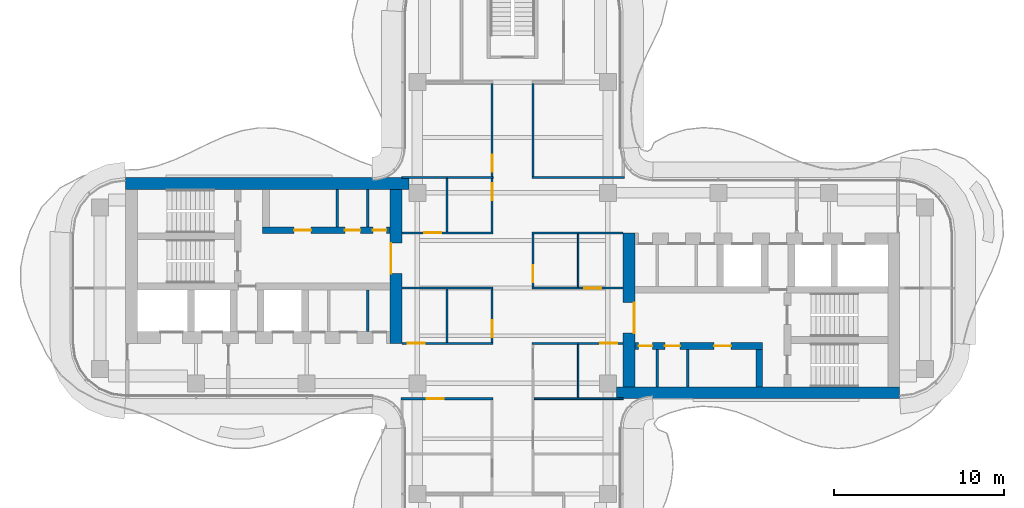
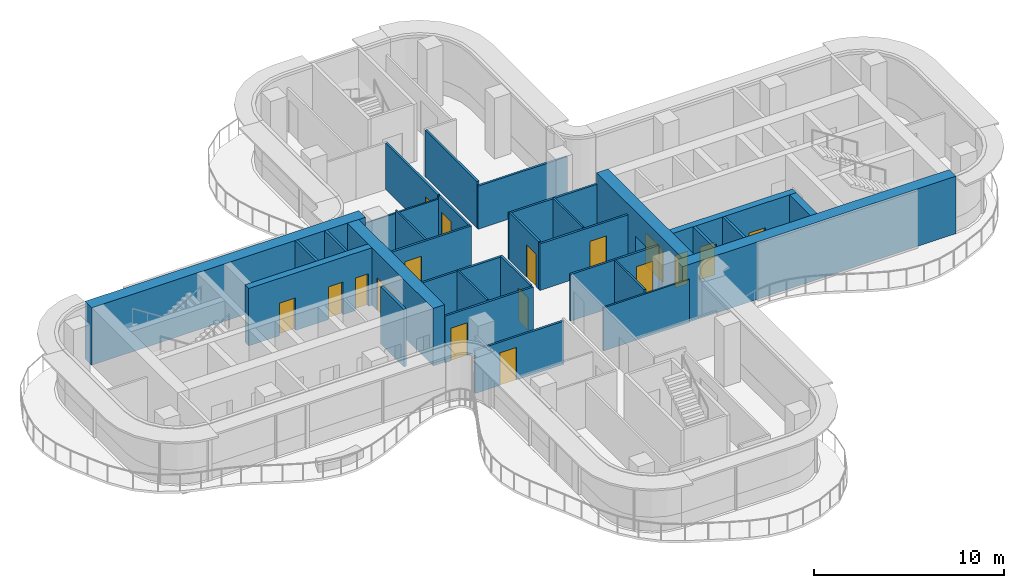
# One storey, part 12 of 16: 31 walls, 17 doors, 17 openings.
"""IFC4 building model written with IfcOpenShell, lengths in metres."""

from ifc_helpers import new_model, si_unit, direction, frame, frame_2d, origin, place, context, subcontext, project, spatial, rectangle, extrude, source, transform, mapped, material, layer, layer_set, type_object, element, fill, save


model = new_model("IFC4")

# Units and contexts
model_context = context("Model", 3, precision=1e-05, world=origin(), true_north=direction((0.0, 1.0)))
body_context = subcontext(model_context, "Body", "Model", "MODEL_VIEW")
ifc_project = project(units=[si_unit("LENGTHUNIT", "METRE"), si_unit("AREAUNIT", "SQUARE_METRE"), si_unit("VOLUMEUNIT", "CUBIC_METRE"), si_unit("PLANEANGLEUNIT", "RADIAN"), si_unit("MASSUNIT", "GRAM", prefix="KILO")], contexts=[model_context])

# Site, building, storey
site_placement = place(None, origin())
site = spatial("IfcSite", under=ifc_project, at=site_placement, CompositionType="ELEMENT")
building_placement = place(site_placement, origin())
building = spatial("IfcBuilding", under=site, at=building_placement, Name="Trellis Farm Tower", CompositionType="ELEMENT")
storey_placement = place(building_placement, frame((0.0, 0.0, 310.60009765625)))
storey = spatial("IfcBuildingStorey", under=building, at=storey_placement, Name="L70", CompositionType="ELEMENT", Elevation=310.60009765625)

# Wall, opening, door
ifc_material_1 = material(Name="Concrete C50/60", Category="concrete")
ifc_layer_1 = layer(ifc_material_1, 0.699951171875)
ifc_layer_set_1 = layer_set([ifc_layer_1], Name="CORE OUTER WALL 700 CONCRETE C50/60")
wall_type_1 = type_object("IfcWallType", Name="CORE OUTER WALL 700 CONCRETE C50/60", PredefinedType="SHEAR", material=ifc_layer_set_1)
shared_shape_1 = source(origin(), body_context, "Body", "SweptSolid", [
    extrude(rectangle(XDim=9.050048828125, YDim=0.699951171875, at=frame_2d((4.52490234375, 0.0))), origin(), (0.0, 0.0, 1.0), 3.699951171875),
])
wall_1_placement = place(storey_placement, frame((6.85009765625, -5.800048828125, 0.0), z_axis=(0.0, 0.0, 1.0), x_axis=(0.0, 1.0, 0.0)))
wall_1 = element("IfcWall", 1, at=wall_1_placement, inside=storey, type_object=wall_type_1, Name="Core wall", PredefinedType="SHEAR", context=body_context, shape_type="MappedRepresentation", body=[
    mapped(shared_shape_1, transform((0.0, 0.0, 0.0))),
])
shared_shape_2 = source(origin(), body_context, "Body", "SweptSolid", [
    extrude(rectangle(XDim=1.800048828125, YDim=2.10009765625, at=frame_2d((0.89990234375, 1.050048828125))), frame((0.0, 0.360107421875, 0.0), z_axis=(0.0, -1.0, 0.0), x_axis=(1.0, 0.0, 0.0)), (0.0, 0.0, 1.0), 0.72021484375),
])
opening_1_placement = place(wall_1_placement, frame((3.14990234375, 0.0, 0.0)))
opening_1 = element("IfcOpeningElement", 2, at=opening_1_placement, cuts=wall_1, Name="Opening DC1", PredefinedType="OPENING", context=body_context, shape_type="MappedRepresentation", body=[
    mapped(shared_shape_2, transform((0.0, 0.0, 0.0))),
])
ifc_material_2 = material(Name="Steel", Category="steel")
door_type_1 = type_object("IfcDoorType", Name="CORE FIRE DOOR DOUBLE 1800 X 2100", OperationType="DOUBLE_DOOR_SINGLE_SWING", PredefinedType="DOOR", material=ifc_material_2)
shared_shape_3 = source(origin(), body_context, "Body", "SweptSolid", [
    extrude(rectangle(XDim=1.800048828125, YDim=2.10009765625, at=frame_2d((0.89990234375, 1.050048828125))), frame((0.0, -0.27490234375, 0.0), z_axis=(0.0, -1.0, 0.0), x_axis=(1.0, 0.0, 0.0)), (0.0, 0.0, 1.0), 0.050048828125),
])
door_1_placement = place(opening_1_placement, origin())
door_1 = element("IfcDoor", 3, at=door_1_placement, inside=storey, type_object=door_type_1, Name="Core door", OperationType="DOUBLE_DOOR_SINGLE_SWING", OverallHeight=2.10009765625, OverallWidth=1.800048828125, PredefinedType="DOOR", context=body_context, shape_type="MappedRepresentation", body=[
    mapped(shared_shape_3, transform((0.0, 0.0, 0.0))),
])
fill(opening_1, door_1)

wall_2_placement = place(storey_placement, frame((-6.85009765625, 5.800048828125, 0.0), z_axis=(0.0, 0.0, 1.0), x_axis=(0.0, -1.0, 0.0)))
wall_2 = element("IfcWall", 4, at=wall_2_placement, inside=storey, type_object=wall_type_1, Name="Core wall", PredefinedType="SHEAR", context=body_context, shape_type="MappedRepresentation", body=[
    mapped(shared_shape_1, transform((0.0, 0.0, 0.0))),
])
opening_2_placement = place(wall_2_placement, frame((3.14990234375, 0.0, 0.0)))
opening_2 = element("IfcOpeningElement", 5, at=opening_2_placement, cuts=wall_2, Name="Opening DC87", PredefinedType="OPENING", context=body_context, shape_type="MappedRepresentation", body=[
    mapped(shared_shape_2, transform((0.0, 0.0, 0.0))),
])
door_2_placement = place(opening_2_placement, origin())
door_2 = element("IfcDoor", 6, at=door_2_placement, inside=storey, type_object=door_type_1, Name="Core door", OperationType="DOUBLE_DOOR_SINGLE_SWING", OverallHeight=2.10009765625, OverallWidth=1.800048828125, PredefinedType="DOOR", context=body_context, shape_type="MappedRepresentation", body=[
    mapped(shared_shape_3, transform((0.0, 0.0, 0.0))),
])
fill(opening_2, door_2)

# Wall, openings, doors
ifc_layer_2 = layer(ifc_material_1, 0.39990234375)
ifc_layer_set_2 = layer_set([ifc_layer_2], Name="CORE INNER WALL 400 CONCRETE C50/60")
wall_type_2 = type_object("IfcWallType", Name="CORE INNER WALL 400 CONCRETE C50/60", PredefinedType="SHEAR", material=ifc_layer_set_2)
shared_shape_4 = source(origin(), body_context, "Body", "SweptSolid", [
    extrude(rectangle(XDim=7.5, YDim=0.39990234375, at=frame_2d((3.75, 0.0))), origin(), (0.0, 0.0, 1.0), 3.699951171875),
])
wall_3_placement = place(storey_placement, frame((7.199951171875, -3.39990234375, 0.0), z_axis=(0.0, 0.0, 1.0), x_axis=(1.0, 0.0, 0.0)))
wall_3 = element("IfcWall", 7, at=wall_3_placement, inside=storey, type_object=wall_type_2, Name="Core wall", PredefinedType="SHEAR", context=body_context, shape_type="MappedRepresentation", body=[
    mapped(shared_shape_4, transform((0.0, 0.0, 0.0))),
])
shared_shape_5 = source(origin(), body_context, "Body", "SweptSolid", [
    extrude(rectangle(XDim=0.800048828125, YDim=2.10009765625, at=frame_2d((0.39990234375, 1.050048828125))), frame((0.0, 0.2099609375, 0.0), z_axis=(0.0, -1.0, 0.0), x_axis=(1.0, 0.0, 0.0)), (0.0, 0.0, 1.0), 0.419921875),
])
opening_3_placement = place(wall_3_placement, frame((0.21240234375, 0.0, 0.0)))
opening_3 = element("IfcOpeningElement", 8, at=opening_3_placement, cuts=wall_3, Name="Opening DC51", PredefinedType="OPENING", context=body_context, shape_type="MappedRepresentation", body=[
    mapped(shared_shape_5, transform((0.0, 0.0, 0.0))),
])
shared_shape_6 = source(origin(), body_context, "Body", "SweptSolid", [
    extrude(rectangle(XDim=0.89990234375, YDim=2.10009765625, at=frame_2d((0.449951171875, 1.050048828125))), frame((0.0, 0.2099609375, 0.0), z_axis=(0.0, -1.0, 0.0), x_axis=(1.0, 0.0, 0.0)), (0.0, 0.0, 1.0), 0.419921875),
])
opening_4_placement = place(wall_3_placement, frame((1.75, 0.0, 0.0)))
opening_4 = element("IfcOpeningElement", 9, at=opening_4_placement, cuts=wall_3, Name="Opening DC60", PredefinedType="OPENING", context=body_context, shape_type="MappedRepresentation", body=[
    mapped(shared_shape_6, transform((0.0, 0.0, 0.0))),
])
shared_shape_7 = source(origin(), body_context, "Body", "SweptSolid", [
    extrude(rectangle(XDim=1.0, YDim=2.10009765625, at=frame_2d((0.5, 1.050048828125))), frame((0.0, 0.2099609375, 0.0), z_axis=(0.0, -1.0, 0.0), x_axis=(1.0, 0.0, 0.0)), (0.0, 0.0, 1.0), 0.419921875),
])
opening_5_placement = place(wall_3_placement, frame((4.637451171875, 0.0, 0.0)))
opening_5 = element("IfcOpeningElement", 10, at=opening_5_placement, cuts=wall_3, Name="Opening DC67", PredefinedType="OPENING", context=body_context, shape_type="MappedRepresentation", body=[
    mapped(shared_shape_7, transform((0.0, 0.0, 0.0))),
])
door_type_2 = type_object("IfcDoorType", Name="CORE FIRE DOOR 1000 X 2100", OperationType="NOTDEFINED", PredefinedType="DOOR", material=ifc_material_2)
shared_shape_8 = source(origin(), body_context, "Body", "SweptSolid", [
    extrude(rectangle(XDim=1.0, YDim=2.10009765625, at=frame_2d((0.5, 1.050048828125))), frame((0.0, 0.02490234375, 0.0), z_axis=(0.0, -1.0, 0.0), x_axis=(1.0, 0.0, 0.0)), (0.0, 0.0, 1.0), 0.050048828125),
])
door_3_placement = place(opening_5_placement, origin())
door_3 = element("IfcDoor", 11, at=door_3_placement, inside=storey, type_object=door_type_2, Name="Core door", OperationType="SINGLE_SWING_LEFT", OverallHeight=2.10009765625, OverallWidth=1.0, PredefinedType="DOOR", context=body_context, shape_type="MappedRepresentation", body=[
    mapped(shared_shape_8, transform((0.0, 0.0, 0.0))),
])
fill(opening_5, door_3)
door_type_3 = type_object("IfcDoorType", Name="CORE FIRE DOOR 900 X 2100", OperationType="NOTDEFINED", PredefinedType="DOOR", material=ifc_material_2)
shared_shape_9 = source(origin(), body_context, "Body", "SweptSolid", [
    extrude(rectangle(XDim=0.89990234375, YDim=2.10009765625, at=frame_2d((0.449951171875, 1.050048828125))), frame((0.0, 0.02490234375, 0.0), z_axis=(0.0, -1.0, 0.0), x_axis=(1.0, 0.0, 0.0)), (0.0, 0.0, 1.0), 0.050048828125),
])
door_4_placement = place(opening_4_placement, origin())
door_4 = element("IfcDoor", 12, at=door_4_placement, inside=storey, type_object=door_type_3, Name="Core door", OperationType="SINGLE_SWING_RIGHT", OverallHeight=2.10009765625, OverallWidth=0.89990234375, PredefinedType="DOOR", context=body_context, shape_type="MappedRepresentation", body=[
    mapped(shared_shape_9, transform((0.0, 0.0, 0.0))),
])
fill(opening_4, door_4)
door_type_4 = type_object("IfcDoorType", Name="CORE FIRE DOOR 800 X 2100", OperationType="NOTDEFINED", PredefinedType="DOOR", material=ifc_material_2)
shared_shape_10 = source(origin(), body_context, "Body", "SweptSolid", [
    extrude(rectangle(XDim=0.800048828125, YDim=2.10009765625, at=frame_2d((0.39990234375, 1.050048828125))), frame((0.0, 0.02490234375, 0.0), z_axis=(0.0, -1.0, 0.0), x_axis=(1.0, 0.0, 0.0)), (0.0, 0.0, 1.0), 0.050048828125),
])
door_5_placement = place(opening_3_placement, origin())
door_5 = element("IfcDoor", 13, at=door_5_placement, inside=storey, type_object=door_type_4, Name="Core door", OperationType="SINGLE_SWING_LEFT", OverallHeight=2.10009765625, OverallWidth=0.800048828125, PredefinedType="DOOR", context=body_context, shape_type="MappedRepresentation", body=[
    mapped(shared_shape_10, transform((0.0, 0.0, 0.0))),
])
fill(opening_3, door_5)

wall_4_placement = place(storey_placement, frame((-7.199951171875, 3.39990234375, 0.0), z_axis=(0.0, 0.0, 1.0), x_axis=(-1.0, 0.0, 0.0)))
wall_4 = element("IfcWall", 14, at=wall_4_placement, inside=storey, type_object=wall_type_2, Name="Core wall", PredefinedType="SHEAR", context=body_context, shape_type="MappedRepresentation", body=[
    mapped(shared_shape_4, transform((0.0, 0.0, 0.0))),
])
opening_6_placement = place(wall_4_placement, frame((0.21240234375, 0.0, 0.0)))
opening_6 = element("IfcOpeningElement", 15, at=opening_6_placement, cuts=wall_4, Name="Opening DC137", PredefinedType="OPENING", context=body_context, shape_type="MappedRepresentation", body=[
    mapped(shared_shape_5, transform((0.0, 0.0, 0.0))),
])
opening_7_placement = place(wall_4_placement, frame((1.75, 0.0, 0.0)))
opening_7 = element("IfcOpeningElement", 16, at=opening_7_placement, cuts=wall_4, Name="Opening DC146", PredefinedType="OPENING", context=body_context, shape_type="MappedRepresentation", body=[
    mapped(shared_shape_6, transform((0.0, 0.0, 0.0))),
])
opening_8_placement = place(wall_4_placement, frame((4.637451171875, 0.0, 0.0)))
opening_8 = element("IfcOpeningElement", 17, at=opening_8_placement, cuts=wall_4, Name="Opening DC153", PredefinedType="OPENING", context=body_context, shape_type="MappedRepresentation", body=[
    mapped(shared_shape_7, transform((0.0, 0.0, 0.0))),
])
door_6_placement = place(opening_8_placement, origin())
door_6 = element("IfcDoor", 18, at=door_6_placement, inside=storey, type_object=door_type_2, Name="Core door", OperationType="SINGLE_SWING_LEFT", OverallHeight=2.10009765625, OverallWidth=1.0, PredefinedType="DOOR", context=body_context, shape_type="MappedRepresentation", body=[
    mapped(shared_shape_8, transform((0.0, 0.0, 0.0))),
])
fill(opening_8, door_6)
door_7_placement = place(opening_7_placement, origin())
door_7 = element("IfcDoor", 19, at=door_7_placement, inside=storey, type_object=door_type_3, Name="Core door", OperationType="SINGLE_SWING_RIGHT", OverallHeight=2.10009765625, OverallWidth=0.89990234375, PredefinedType="DOOR", context=body_context, shape_type="MappedRepresentation", body=[
    mapped(shared_shape_9, transform((0.0, 0.0, 0.0))),
])
fill(opening_7, door_7)
door_8_placement = place(opening_6_placement, origin())
door_8 = element("IfcDoor", 20, at=door_8_placement, inside=storey, type_object=door_type_4, Name="Core door", OperationType="SINGLE_SWING_LEFT", OverallHeight=2.10009765625, OverallWidth=0.800048828125, PredefinedType="DOOR", context=body_context, shape_type="MappedRepresentation", body=[
    mapped(shared_shape_10, transform((0.0, 0.0, 0.0))),
])
fill(opening_6, door_8)

# Walls
shared_shape_11 = source(origin(), body_context, "Body", "SweptSolid", [
    extrude(rectangle(XDim=2.199951171875, YDim=0.39990234375, at=frame_2d((1.10009765625, 0.0))), origin(), (0.0, 0.0, 1.0), 3.699951171875),
])
wall_5_placement = place(storey_placement, frame((14.5, -5.800048828125, 0.0), z_axis=(0.0, 0.0, 1.0), x_axis=(0.0, 1.0, 0.0)))
element("IfcWall", 21, at=wall_5_placement, inside=storey, type_object=wall_type_2, Name="Core wall", PredefinedType="SHEAR", context=body_context, shape_type="MappedRepresentation", body=[
    mapped(shared_shape_11, transform((0.0, 0.0, 0.0))),
])
ifc_material_3 = material(Name="Masonry blockwork", Category="masonry")
ifc_layer_3 = layer(ifc_material_3, 0.14990234375)
ifc_layer_set_3 = layer_set([ifc_layer_3], Name="CORE PARTITION 150 BLOCKWORK")
wall_type_3 = type_object("IfcWallType", Name="CORE PARTITION 150 BLOCKWORK", PredefinedType="PARTITIONING", material=ifc_layer_set_3)
shared_shape_12 = source(origin(), body_context, "Body", "SweptSolid", [
    extrude(rectangle(XDim=2.199951171875, YDim=0.14990234375, at=frame_2d((1.10009765625, 0.0))), origin(), (0.0, 0.0, 1.0), 3.699951171875),
])
for number, where, z_axis, x_axis, name in (
    (22, (8.5, -5.800048828125, 0.0), (0.0, 0.0, 1.0), (0.0, 1.0, 0.0), "Core room partition"),
    (23, (10.300048828125, -5.800048828125, 0.0), (0.0, 0.0, 1.0), (0.0, 1.0, 0.0), "Core room partition"),
    (24, (-8.5, 5.800048828125, 0.0), (0.0, 0.0, 1.0), (0.0, -1.0, 0.0), "Core room partition"),
    (25, (-10.300048828125, 5.800048828125, 0.0), (0.0, 0.0, 1.0), (0.0, -1.0, 0.0), "Core room partition"),
):
    element("IfcWall", number, at=place(storey_placement, frame(where, z_axis=z_axis, x_axis=x_axis)), inside=storey, type_object=wall_type_3, Name=name, PredefinedType="PARTITIONING", context=body_context, shape_type="MappedRepresentation", body=[
        mapped(shared_shape_12, transform((0.0, 0.0, 0.0))),
    ])
shared_shape_13 = source(origin(), body_context, "Body", "SweptSolid", [
    extrude(rectangle(XDim=16.64990234375, YDim=0.699951171875, at=frame_2d((8.324951171875, 0.0))), origin(), (0.0, 0.0, 1.0), 3.699951171875),
])
for number, where, z_axis, x_axis, name in (
    (26, (6.10009765625, -6.14990234375, 0.0), (0.0, 0.0, 1.0), (1.0, 0.0, 0.0), "Core wall"),
    (27, (-6.10009765625, 6.14990234375, 0.0), (0.0, 0.0, 1.0), (-1.0, 0.0, 0.0), "Core wall"),
):
    element("IfcWall", number, at=place(storey_placement, frame(where, z_axis=z_axis, x_axis=x_axis)), inside=storey, type_object=wall_type_1, Name=name, PredefinedType="SHEAR", context=body_context, shape_type="MappedRepresentation", body=[
        mapped(shared_shape_13, transform((0.0, 0.0, 0.0))),
    ])
shared_shape_14 = source(origin(), body_context, "Body", "SweptSolid", [
    extrude(rectangle(XDim=2.449951171875, YDim=0.14990234375, at=frame_2d((1.22509765625, 0.0))), origin(), (0.0, 0.0, 1.0), 3.699951171875),
])
wall_6_placement = place(storey_placement, frame((-8.5, -0.10009765625, 0.0), z_axis=(0.0, 0.0, 1.0), x_axis=(0.0, -1.0, 0.0)))
element("IfcWall", 28, at=wall_6_placement, inside=storey, type_object=wall_type_3, Name="Core room partition", PredefinedType="PARTITIONING", context=body_context, shape_type="MappedRepresentation", body=[
    mapped(shared_shape_14, transform((0.0, 0.0, 0.0))),
])
ifc_material_4 = material(Name="Plasterboard on steel studs, mineral wool", Category="steel")
ifc_layer_4 = layer(ifc_material_4, 0.125)
ifc_layer_set_4 = layer_set([ifc_layer_4], Name="PARTITION 125 STUD EI 60")
wall_type_4 = type_object("IfcWallType", Name="PARTITION 125 STUD EI 60", PredefinedType="PARTITIONING", material=ifc_layer_set_4)
shared_shape_15 = source(origin(), body_context, "Body", "SweptSolid", [
    extrude(rectangle(XDim=5.47509765625, YDim=0.125, at=frame_2d((2.737548828125, 0.0))), origin(), (0.0, 0.0, 1.0), 2.99658203125),
])
wall_7_placement = place(storey_placement, frame((1.199951171875, 12.03759765625, 0.0), z_axis=(0.0, 0.0, 1.0), x_axis=(0.0, -1.0, 0.0)))
element("IfcWall", 29, at=wall_7_placement, inside=storey, type_object=wall_type_4, Name="Partition PW1", PredefinedType="PARTITIONING", context=body_context, shape_type="MappedRepresentation", body=[
    mapped(shared_shape_15, transform((0.0, 0.0, 0.0))),
])

# Wall, opening, door
shared_shape_16 = source(origin(), body_context, "Body", "SweptSolid", [
    extrude(rectangle(XDim=3.137451171875, YDim=0.125, at=frame_2d((1.56884765625, 0.0))), origin(), (0.0, 0.0, 1.0), 2.99658203125),
])
wall_8_placement = place(storey_placement, frame((-1.199951171875, 6.449951171875, 0.0), z_axis=(0.0, 0.0, 1.0), x_axis=(0.0, -1.0, 0.0)))
wall_8 = element("IfcWall", 30, at=wall_8_placement, inside=storey, type_object=wall_type_4, Name="Partition PW1", PredefinedType="PARTITIONING", context=body_context, shape_type="MappedRepresentation", body=[
    mapped(shared_shape_16, transform((0.0, 0.0, 0.0))),
])
shared_shape_17 = source(origin(), body_context, "Body", "SweptSolid", [
    extrude(rectangle(XDim=1.0, YDim=2.10009765625, at=frame_2d((0.5, 1.050048828125))), frame((0.0, 0.072509765625, 0.0), z_axis=(0.0, -1.0, 0.0), x_axis=(1.0, 0.0, 0.0)), (0.0, 0.0, 1.0), 0.14501953125),
])
opening_9_placement = place(wall_8_placement, frame((0.300048828125, 0.0, 0.0)))
opening_9 = element("IfcOpeningElement", 31, at=opening_9_placement, cuts=wall_8, Name="Opening D113", PredefinedType="OPENING", context=body_context, shape_type="MappedRepresentation", body=[
    mapped(shared_shape_17, transform((0.0, 0.0, 0.0))),
])
ifc_material_5 = material(Name="Fire-rated timber door leaf in a hollow metal frame", Category="wood")
door_type_5 = type_object("IfcDoorType", Name="DOOR 1000x2100 FD30S", OperationType="NOTDEFINED", PredefinedType="DOOR", material=ifc_material_5)
door_9_placement = place(opening_9_placement, origin())
door_9 = element("IfcDoor", 32, at=door_9_placement, inside=storey, type_object=door_type_5, Name="Door D113", OperationType="SINGLE_SWING_LEFT", OverallHeight=2.10009765625, OverallWidth=1.0, PredefinedType="DOOR", context=body_context, shape_type="MappedRepresentation", body=[
    mapped(shared_shape_8, transform((0.0, 0.0, 0.0))),
])
fill(opening_9, door_9)

shared_shape_18 = source(origin(), body_context, "Body", "SweptSolid", [
    extrude(rectangle(XDim=5.362548828125, YDim=0.125, at=frame_2d((2.68115234375, 0.0))), origin(), (0.0, 0.0, 1.0), 2.99658203125),
])
wall_9_placement = place(storey_placement, frame((-1.137451171875, -3.25, 0.0), z_axis=(0.0, 0.0, 1.0), x_axis=(-1.0, 0.0, 0.0)))
wall_9 = element("IfcWall", 33, at=wall_9_placement, inside=storey, type_object=wall_type_4, Name="Partition PW1", PredefinedType="PARTITIONING", context=body_context, shape_type="MappedRepresentation", body=[
    mapped(shared_shape_18, transform((0.0, 0.0, 0.0))),
])
opening_10_placement = place(wall_9_placement, frame((4.012451171875, 0.0, 0.0)))
opening_10 = element("IfcOpeningElement", 34, at=opening_10_placement, cuts=wall_9, Name="Opening D105", PredefinedType="OPENING", context=body_context, shape_type="MappedRepresentation", body=[
    mapped(shared_shape_17, transform((0.0, 0.0, 0.0))),
])
door_10_placement = place(opening_10_placement, origin())
door_10 = element("IfcDoor", 35, at=door_10_placement, inside=storey, type_object=door_type_5, Name="Door D105", OperationType="SINGLE_SWING_RIGHT", OverallHeight=2.10009765625, OverallWidth=1.0, PredefinedType="DOOR", context=body_context, shape_type="MappedRepresentation", body=[
    mapped(shared_shape_8, transform((0.0, 0.0, 0.0))),
])
fill(opening_10, door_10)

wall_10_placement = place(storey_placement, frame((6.5, -3.25, 0.0), z_axis=(0.0, 0.0, 1.0), x_axis=(-1.0, 0.0, 0.0)))
wall_10 = element("IfcWall", 36, at=wall_10_placement, inside=storey, type_object=wall_type_4, Name="Partition PW1", PredefinedType="PARTITIONING", context=body_context, shape_type="MappedRepresentation", body=[
    mapped(shared_shape_18, transform((0.0, 0.0, 0.0))),
])
opening_11_placement = place(wall_10_placement, frame((0.35009765625, 0.0, 0.0)))
opening_11 = element("IfcOpeningElement", 37, at=opening_11_placement, cuts=wall_10, Name="Opening D106", PredefinedType="OPENING", context=body_context, shape_type="MappedRepresentation", body=[
    mapped(shared_shape_17, transform((0.0, 0.0, 0.0))),
])
door_11_placement = place(opening_11_placement, origin())
door_11 = element("IfcDoor", 38, at=door_11_placement, inside=storey, type_object=door_type_5, Name="Door D106", OperationType="SINGLE_SWING_LEFT", OverallHeight=2.10009765625, OverallWidth=1.0, PredefinedType="DOOR", context=body_context, shape_type="MappedRepresentation", body=[
    mapped(shared_shape_8, transform((0.0, 0.0, 0.0))),
])
fill(opening_11, door_11)

# Wall
wall_11_placement = place(storey_placement, frame((-1.137451171875, 0.0, 0.0), z_axis=(0.0, 0.0, 1.0), x_axis=(-1.0, 0.0, 0.0)))
element("IfcWall", 39, at=wall_11_placement, inside=storey, type_object=wall_type_4, Name="Partition PW1", PredefinedType="PARTITIONING", context=body_context, shape_type="MappedRepresentation", body=[
    mapped(shared_shape_18, transform((0.0, 0.0, 0.0))),
])

# Wall, opening, door
wall_12_placement = place(storey_placement, frame((6.5, 0.0, 0.0), z_axis=(0.0, 0.0, 1.0), x_axis=(-1.0, 0.0, 0.0)))
wall_12 = element("IfcWall", 40, at=wall_12_placement, inside=storey, type_object=wall_type_4, Name="Partition PW1", PredefinedType="PARTITIONING", context=body_context, shape_type="MappedRepresentation", body=[
    mapped(shared_shape_18, transform((0.0, 0.0, 0.0))),
])
opening_12_placement = place(wall_12_placement, frame((1.300048828125, 0.0, 0.0)))
opening_12 = element("IfcOpeningElement", 41, at=opening_12_placement, cuts=wall_12, Name="Opening D109", PredefinedType="OPENING", context=body_context, shape_type="MappedRepresentation", body=[
    mapped(shared_shape_17, transform((0.0, 0.0, 0.0))),
])
door_12_placement = place(opening_12_placement, origin())
door_12 = element("IfcDoor", 42, at=door_12_placement, inside=storey, type_object=door_type_5, Name="Door D109", OperationType="SINGLE_SWING_RIGHT", OverallHeight=2.10009765625, OverallWidth=1.0, PredefinedType="DOOR", context=body_context, shape_type="MappedRepresentation", body=[
    mapped(shared_shape_8, transform((0.0, 0.0, 0.0))),
])
fill(opening_12, door_12)

wall_13_placement = place(storey_placement, frame((-6.5, 3.25, 0.0), z_axis=(0.0, 0.0, 1.0), x_axis=(1.0, 0.0, 0.0)))
wall_13 = element("IfcWall", 43, at=wall_13_placement, inside=storey, type_object=wall_type_4, Name="Partition PW1", PredefinedType="PARTITIONING", context=body_context, shape_type="MappedRepresentation", body=[
    mapped(shared_shape_18, transform((0.0, 0.0, 0.0))),
])
opening_13_placement = place(wall_13_placement, frame((1.300048828125, 0.0, 0.0)))
opening_13 = element("IfcOpeningElement", 44, at=opening_13_placement, cuts=wall_13, Name="Opening D112", PredefinedType="OPENING", context=body_context, shape_type="MappedRepresentation", body=[
    mapped(shared_shape_17, transform((0.0, 0.0, 0.0))),
])
door_13_placement = place(opening_13_placement, origin())
door_13 = element("IfcDoor", 45, at=door_13_placement, inside=storey, type_object=door_type_5, Name="Door D112", OperationType="SINGLE_SWING_RIGHT", OverallHeight=2.10009765625, OverallWidth=1.0, PredefinedType="DOOR", context=body_context, shape_type="MappedRepresentation", body=[
    mapped(shared_shape_8, transform((0.0, 0.0, 0.0))),
])
fill(opening_13, door_13)

# Wall
wall_14_placement = place(storey_placement, frame((1.137451171875, 3.25, 0.0), z_axis=(0.0, 0.0, 1.0), x_axis=(1.0, 0.0, 0.0)))
element("IfcWall", 46, at=wall_14_placement, inside=storey, type_object=wall_type_4, Name="Partition PW1", PredefinedType="PARTITIONING", context=body_context, shape_type="MappedRepresentation", body=[
    mapped(shared_shape_18, transform((0.0, 0.0, 0.0))),
])

# Wall, opening, door
shared_shape_19 = source(origin(), body_context, "Body", "SweptSolid", [
    extrude(rectangle(XDim=3.125, YDim=0.125, at=frame_2d((1.5625, 0.0))), origin(), (0.0, 0.0, 1.0), 3.067626953125),
])
wall_15_placement = place(storey_placement, frame((-1.199951171875, -0.0625, 0.0), z_axis=(0.0, 0.0, 1.0), x_axis=(0.0, -1.0, 0.0)))
wall_15 = element("IfcWall", 47, at=wall_15_placement, inside=storey, type_object=wall_type_4, Name="Partition PW1", PredefinedType="PARTITIONING", context=body_context, shape_type="MappedRepresentation", body=[
    mapped(shared_shape_19, transform((0.0, 0.0, 0.0))),
])
opening_14_placement = place(wall_15_placement, frame((1.83740234375, 0.0, 0.0)))
opening_14 = element("IfcOpeningElement", 48, at=opening_14_placement, cuts=wall_15, Name="Opening D107", PredefinedType="OPENING", context=body_context, shape_type="MappedRepresentation", body=[
    mapped(shared_shape_17, transform((0.0, 0.0, 0.0))),
])
door_14_placement = place(opening_14_placement, origin())
door_14 = element("IfcDoor", 49, at=door_14_placement, inside=storey, type_object=door_type_5, Name="Door D107", OperationType="SINGLE_SWING_RIGHT", OverallHeight=2.10009765625, OverallWidth=1.0, PredefinedType="DOOR", context=body_context, shape_type="MappedRepresentation", body=[
    mapped(shared_shape_8, transform((0.0, 0.0, 0.0))),
])
fill(opening_14, door_14)

wall_16_placement = place(storey_placement, frame((1.199951171875, 3.1875, 0.0), z_axis=(0.0, 0.0, 1.0), x_axis=(0.0, -1.0, 0.0)))
wall_16 = element("IfcWall", 50, at=wall_16_placement, inside=storey, type_object=wall_type_4, Name="Partition PW1", PredefinedType="PARTITIONING", context=body_context, shape_type="MappedRepresentation", body=[
    mapped(shared_shape_19, transform((0.0, 0.0, 0.0))),
])
opening_15_placement = place(wall_16_placement, frame((1.83740234375, 0.0, 0.0)))
opening_15 = element("IfcOpeningElement", 51, at=opening_15_placement, cuts=wall_16, Name="Opening D111", PredefinedType="OPENING", context=body_context, shape_type="MappedRepresentation", body=[
    mapped(shared_shape_17, transform((0.0, 0.0, 0.0))),
])
door_15_placement = place(opening_15_placement, origin())
door_15 = element("IfcDoor", 52, at=door_15_placement, inside=storey, type_object=door_type_5, Name="Door D111", OperationType="SINGLE_SWING_RIGHT", OverallHeight=2.10009765625, OverallWidth=1.0, PredefinedType="DOOR", context=body_context, shape_type="MappedRepresentation", body=[
    mapped(shared_shape_8, transform((0.0, 0.0, 0.0))),
])
fill(opening_15, door_15)

shared_shape_20 = source(origin(), body_context, "Body", "SweptSolid", [
    extrude(rectangle(XDim=5.425048828125, YDim=0.125, at=frame_2d((2.71240234375, 0.0))), origin(), (0.0, 0.0, 1.0), 2.77978515625),
])
wall_17_placement = place(storey_placement, frame((-1.137451171875, -6.5, 0.0), z_axis=(0.0, 0.0, 1.0), x_axis=(-1.0, 0.0, 0.0)))
wall_17 = element("IfcWall", 53, at=wall_17_placement, inside=storey, type_object=wall_type_4, Name="Partition PW1", PredefinedType="PARTITIONING", context=body_context, shape_type="MappedRepresentation", body=[
    mapped(shared_shape_20, transform((0.0, 0.0, 0.0))),
])
opening_16_placement = place(wall_17_placement, frame((2.91259765625, 0.0, 0.0)))
opening_16 = element("IfcOpeningElement", 54, at=opening_16_placement, cuts=wall_17, Name="Opening D104", PredefinedType="OPENING", context=body_context, shape_type="MappedRepresentation", body=[
    mapped(shared_shape_17, transform((0.0, 0.0, 0.0))),
])
door_16_placement = place(opening_16_placement, origin())
door_16 = element("IfcDoor", 55, at=door_16_placement, inside=storey, type_object=door_type_5, Name="Door D104", OperationType="SINGLE_SWING_RIGHT", OverallHeight=2.10009765625, OverallWidth=1.0, PredefinedType="DOOR", context=body_context, shape_type="MappedRepresentation", body=[
    mapped(shared_shape_8, transform((0.0, 0.0, 0.0))),
])
fill(opening_16, door_16)

# Walls
wall_18_placement = place(storey_placement, frame((1.137451171875, 6.5, 0.0), z_axis=(0.0, 0.0, 1.0), x_axis=(1.0, 0.0, 0.0)))
element("IfcWall", 56, at=wall_18_placement, inside=storey, type_object=wall_type_4, Name="Partition PW1", PredefinedType="PARTITIONING", context=body_context, shape_type="MappedRepresentation", body=[
    mapped(shared_shape_20, transform((0.0, 0.0, 0.0))),
])
ifc_material_6 = material(Name="Plasterboard on steel studs", Category="steel")
ifc_layer_5 = layer(ifc_material_6, 0.10009765625)
ifc_layer_set_5 = layer_set([ifc_layer_5], Name="PARTITION 100 STUD EI 30")
wall_type_5 = type_object("IfcWallType", Name="PARTITION 100 STUD EI 30", PredefinedType="PARTITIONING", material=ifc_layer_set_5)
shared_shape_21 = source(origin(), body_context, "Body", "SweptSolid", [
    extrude(rectangle(XDim=5.237548828125, YDim=0.10009765625, at=frame_2d((2.61865234375, 0.0))), origin(), (0.0, 0.0, 1.0), 2.77978515625),
])
wall_19_placement = place(storey_placement, frame((1.262451171875, -6.5, 0.0), z_axis=(0.0, 0.0, 1.0), x_axis=(1.0, 0.0, 0.0)))
element("IfcWall", 57, at=wall_19_placement, inside=storey, type_object=wall_type_5, Name="Partition PW2", PredefinedType="PARTITIONING", context=body_context, shape_type="MappedRepresentation", body=[
    mapped(shared_shape_21, transform((0.0, 0.0, 0.0))),
])
shared_shape_22 = source(origin(), body_context, "Body", "SweptSolid", [
    extrude(rectangle(XDim=3.137451171875, YDim=0.10009765625, at=frame_2d((1.56884765625, 0.0))), origin(), (0.0, 0.0, 1.0), 2.99658203125),
])
for number, where, z_axis, x_axis, name in (
    (58, (-3.85009765625, 3.3125, 0.0), (0.0, 0.0, 1.0), (0.0, 1.0, 0.0), "Partition PW2"),
    (59, (3.85009765625, -6.449951171875, 0.0), (0.0, 0.0, 1.0), (0.0, 1.0, 0.0), "Partition PW2"),
):
    element("IfcWall", number, at=place(storey_placement, frame(where, z_axis=z_axis, x_axis=x_axis)), inside=storey, type_object=wall_type_5, Name=name, PredefinedType="PARTITIONING", context=body_context, shape_type="MappedRepresentation", body=[
        mapped(shared_shape_22, transform((0.0, 0.0, 0.0))),
    ])
shared_shape_23 = source(origin(), body_context, "Body", "SweptSolid", [
    extrude(rectangle(XDim=5.362548828125, YDim=0.10009765625, at=frame_2d((2.68115234375, 0.0))), origin(), (0.0, 0.0, 1.0), 2.77978515625),
])
wall_20_placement = place(storey_placement, frame((-6.5, 6.5, 0.0), z_axis=(0.0, 0.0, 1.0), x_axis=(1.0, 0.0, 0.0)))
element("IfcWall", 60, at=wall_20_placement, inside=storey, type_object=wall_type_5, Name="Partition PW2", PredefinedType="PARTITIONING", context=body_context, shape_type="MappedRepresentation", body=[
    mapped(shared_shape_23, transform((0.0, 0.0, 0.0))),
])

# Wall, opening, door
shared_shape_24 = source(origin(), body_context, "Body", "SweptSolid", [
    extrude(rectangle(XDim=5.487548828125, YDim=0.125, at=frame_2d((2.74365234375, 0.0))), origin(), (0.0, 0.0, 1.0), 2.99658203125),
])
wall_21_placement = place(storey_placement, frame((-1.199951171875, 6.550048828125, 0.0), z_axis=(0.0, 0.0, 1.0), x_axis=(0.0, 1.0, 0.0)))
wall_21 = element("IfcWall", 61, at=wall_21_placement, inside=storey, type_object=wall_type_4, Name="Partition PW1", PredefinedType="PARTITIONING", context=body_context, shape_type="MappedRepresentation", body=[
    mapped(shared_shape_24, transform((0.0, 0.0, 0.0))),
])
opening_17_placement = place(wall_21_placement, frame((0.300048828125, 0.0, 0.0)))
opening_17 = element("IfcOpeningElement", 62, at=opening_17_placement, cuts=wall_21, Name="Opening D114", PredefinedType="OPENING", context=body_context, shape_type="MappedRepresentation", body=[
    mapped(shared_shape_17, transform((0.0, 0.0, 0.0))),
])
door_17_placement = place(opening_17_placement, origin())
door_17 = element("IfcDoor", 63, at=door_17_placement, inside=storey, type_object=door_type_5, Name="Door D114", OperationType="SINGLE_SWING_LEFT", OverallHeight=2.10009765625, OverallWidth=1.0, PredefinedType="DOOR", context=body_context, shape_type="MappedRepresentation", body=[
    mapped(shared_shape_8, transform((0.0, 0.0, 0.0))),
])
fill(opening_17, door_17)

# Walls
shared_shape_25 = source(origin(), body_context, "Body", "SweptSolid", [
    extrude(rectangle(XDim=3.125, YDim=0.10009765625, at=frame_2d((1.5625, 0.0))), origin(), (0.0, 0.0, 1.0), 3.067626953125),
])
for number, where, z_axis, x_axis, name in (
    (64, (-3.85009765625, -3.1875, 0.0), (0.0, 0.0, 1.0), (0.0, 1.0, 0.0), "Partition PW2"),
    (65, (3.85009765625, 0.0625, 0.0), (0.0, 0.0, 1.0), (0.0, 1.0, 0.0), "Partition PW2"),
):
    element("IfcWall", number, at=place(storey_placement, frame(where, z_axis=z_axis, x_axis=x_axis)), inside=storey, type_object=wall_type_5, Name=name, PredefinedType="PARTITIONING", context=body_context, shape_type="MappedRepresentation", body=[
        mapped(shared_shape_25, transform((0.0, 0.0, 0.0))),
    ])

save(model, "model.ifc")
